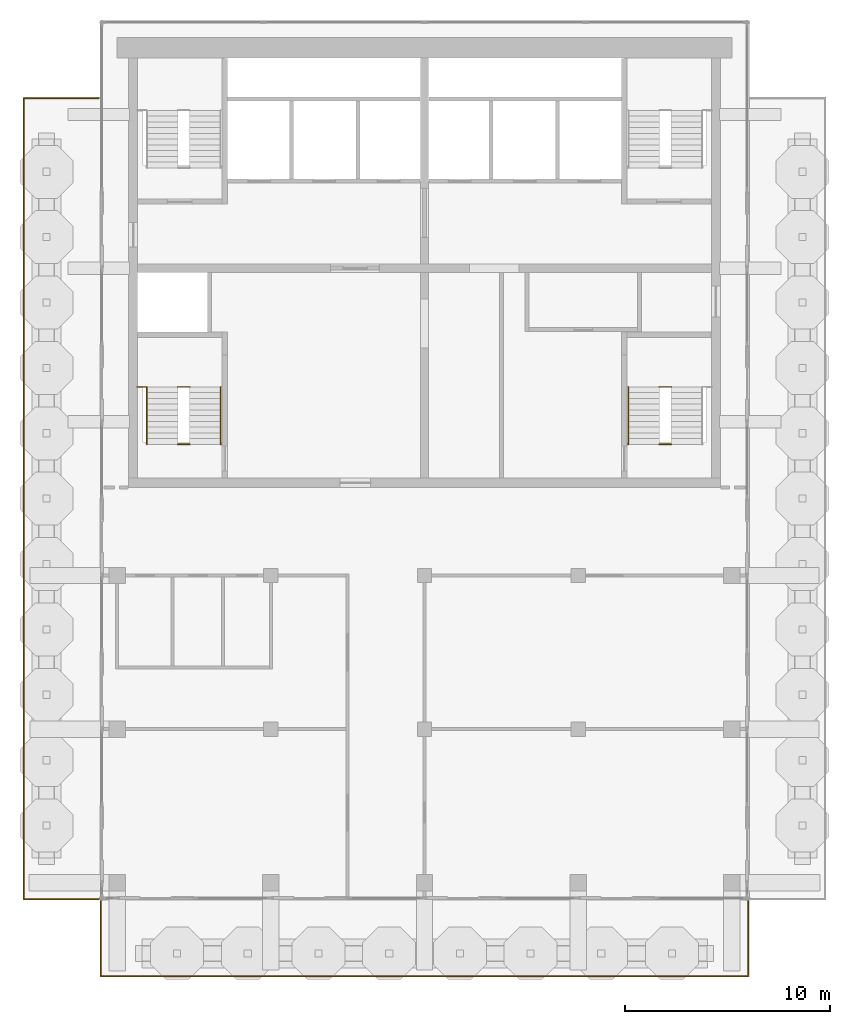
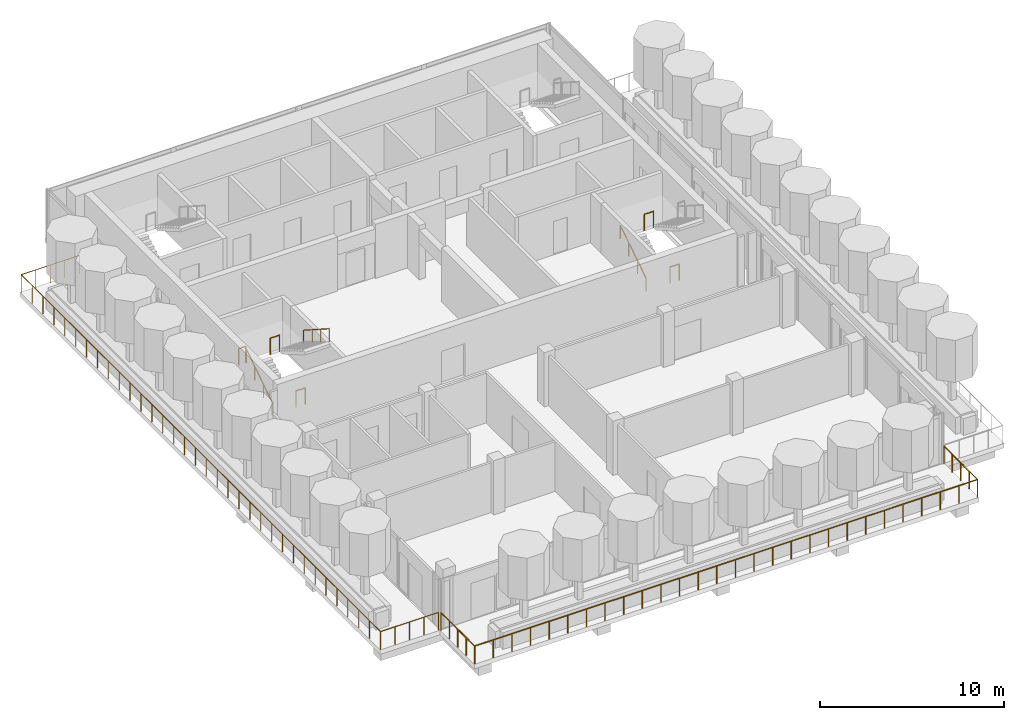
# One storey, part 8 of 10: 10 railings.
"""IFC4 building model written with IfcOpenShell, lengths in metres."""

import ifcopenshell
import ifcopenshell.guid

model = None  # the IFC model being written
_history = None  # IfcOwnerHistory: only IFC2X3 demands one
_inside = {}  # id of a spatial element -> (the spatial element, [elements in it])
_under = {}  # id of a project, library or spatial element -> (it, [spatial elements below it])
_declared = {}  # id of a project -> (the project, [libraries it declares])
_typed = {}  # id of a type object -> (the type object, [elements of that type])
_made_of = {}  # id of a material, layer set ... -> (it, [elements and type objects made of it])


def new_model(schema):
    """Start an empty IFC model of exactly this schema.

    Asked for "IFC4X3", IfcOpenShell would pick the latest addendum, in which some entities
    have other attributes; the version numbers below select the first issue.
    IFC2X3 requires an IfcOwnerHistory on every rooted entity: one is made here for all.
    """
    global model, _history
    if schema == "IFC4X3":
        model = ifcopenshell.file(schema_version=(4, 3, 0, 0))
    else:
        model = ifcopenshell.file(schema=schema)
    _inside.clear()
    _under.clear()
    _declared.clear()
    _typed.clear()
    _made_of.clear()
    _history = None
    if model.schema == "IFC2X3":
        org = make("IfcOrganization", Name="unknown")
        user = make(
            "IfcPersonAndOrganization",
            ThePerson=make("IfcPerson", FamilyName="unknown"),
            TheOrganization=org,
        )
        app = make(
            "IfcApplication",
            ApplicationDeveloper=org,
            Version="unknown",
            ApplicationFullName="unknown",
            ApplicationIdentifier="unknown",
        )
        _history = make(
            "IfcOwnerHistory",
            OwningUser=user,
            OwningApplication=app,
            ChangeAction="ADDED",
            CreationDate=0,
        )
    return model


def make(cls, **values):
    """One entity of the class cls with the attributes given. An attribute that is None is left unset."""
    return model.create_entity(
        cls, **{name: value for name, value in values.items() if value is not None}
    )


def rooted(cls, **values):
    """An entity with a GlobalId (a new one), such as an element, a storey or a relation."""
    return make(cls, GlobalId=ifcopenshell.guid.new(), OwnerHistory=_history, **values)


def si_unit(unit_type, name, prefix=None):
    """IfcSIUnit, for example si_unit("LENGTHUNIT", "METRE", prefix="MILLI")."""
    return make("IfcSIUnit", UnitType=unit_type, Prefix=prefix, Name=name)


def assignment(units):
    """IfcUnitAssignment: the units of a project."""
    return None if units is None else make("IfcUnitAssignment", Units=units)


def point(xyz):
    """IfcCartesianPoint."""
    return None if xyz is None else make("IfcCartesianPoint", Coordinates=xyz)


def direction(xyz):
    """IfcDirection."""
    return None if xyz is None else make("IfcDirection", DirectionRatios=xyz)


def frame(location, z_axis=None, x_axis=None):
    """IfcAxis2Placement3D, a coordinate frame: its origin and axes. An axis left out is left unset."""
    return make(
        "IfcAxis2Placement3D",
        Location=point(location),
        Axis=direction(z_axis),
        RefDirection=direction(x_axis),
    )


def frame_2d(location, x_axis=None):
    """IfcAxis2Placement2D, a coordinate frame in the plane: its origin and x axis."""
    return make(
        "IfcAxis2Placement2D", Location=point(location), RefDirection=direction(x_axis)
    )


def origin():
    """The frame at (0, 0, 0) with its axes left unset."""
    return frame((0.0, 0.0, 0.0))


def origin_2d():
    """The frame at (0, 0) in the plane with its x axis left unset."""
    return frame_2d((0.0, 0.0))


def place(relative_to, where):
    """IfcLocalPlacement: puts the frame where relative to a parent placement (None: the world)."""
    return make(
        "IfcLocalPlacement", PlacementRelTo=relative_to, RelativePlacement=where
    )


def context(
    kind, dimensions, precision=None, world=None, true_north=None, identifier=None
):
    """IfcGeometricRepresentationContext, for example the 3D "Model" context."""
    return make(
        "IfcGeometricRepresentationContext",
        ContextIdentifier=identifier,
        ContextType=kind,
        CoordinateSpaceDimension=dimensions,
        Precision=precision,
        WorldCoordinateSystem=world,
        TrueNorth=true_north,
    )


def subcontext(parent, identifier, kind, view, scale=None):
    """IfcGeometricRepresentationSubContext, for example "Body" below "Model"."""
    return make(
        "IfcGeometricRepresentationSubContext",
        ContextIdentifier=identifier,
        ContextType=kind,
        ParentContext=parent,
        TargetScale=scale,
        TargetView=view,
    )


def project(units=None, contexts=None):
    """IfcProject with its units and contexts."""
    return rooted(
        "IfcProject",
        Name="project",
        RepresentationContexts=contexts,
        UnitsInContext=assignment(units),
    )


def spatial(cls, under=None, at=None, **own):
    """A site, building, storey or space (cls), placed at a placement, below another one or the project."""
    s = rooted(cls, ObjectPlacement=at, **own)
    if under is not None:
        _under.setdefault(under.id(), (under, []))[1].append(s)
    return s


def profile(cls, at=None, kind="AREA", **sizes):
    """A parametric profile (cls). Its sizes go by their IFC names, for example OverallWidth=200.0."""
    return make(cls, ProfileType=kind, Position=at, **sizes)


def circle(**sizes):
    """IfcCircleProfileDef."""
    return profile("IfcCircleProfileDef", **sizes)


def extrude(swept, where, along, depth):
    """IfcExtrudedAreaSolid: the profile swept, set in the frame where, extruded along a direction by depth."""
    return make(
        "IfcExtrudedAreaSolid",
        SweptArea=swept,
        Position=where,
        ExtrudedDirection=direction(along),
        Depth=depth,
    )


def shape(context_of_items, identifier, shape_type, items):
    """IfcShapeRepresentation: the items that make up one representation, for example the "Body"."""
    return make(
        "IfcShapeRepresentation",
        ContextOfItems=context_of_items,
        RepresentationIdentifier=identifier,
        RepresentationType=shape_type,
        Items=items,
    )


def material(Name=None, Category=None):
    """IfcMaterial."""
    return make("IfcMaterial", Name=Name, Category=Category)


def made_of(thing, what):
    """Note that an element or type object is made of a material, layer set ...; save() writes the relation."""
    if what is not None:
        _made_of.setdefault(what.id(), (what, []))[1].append(thing)
    return thing


def type_object(cls, material=None, **own):
    """A type object (cls), such as IfcWallType, which elements share."""
    return made_of(rooted(cls, **own), material)


def element(
    cls,
    number,
    at=None,
    inside=None,
    cuts=None,
    type_object=None,
    material=None,
    context=None,
    identifier="Body",
    shape_type=None,
    held_by="IfcProductDefinitionShape",
    body=None,
    shapes=None,
    **own,
):
    """One element of the class cls, such as IfcWall. Its Tag is "e" and its number.

    at: its placement. inside: the storey or other place that contains it. cuts: it is an
    opening in that element (IfcRelVoidsElement). A single representation is given by context,
    identifier, shape_type and body (its items); several are given by shapes. held_by: the class
    of the entity that holds the representations. save() writes the other relations.
    """
    e = rooted(cls, Tag="e%d" % number, ObjectPlacement=at, **own)
    if body is not None:
        shapes = [shape(context, identifier, shape_type, body)]
    if shapes is not None:
        e.Representation = make(held_by, Representations=shapes)
    if inside is not None:
        _inside.setdefault(inside.id(), (inside, []))[1].append(e)
    if cuts is not None:
        rooted(
            "IfcRelVoidsElement", RelatingBuildingElement=cuts, RelatedOpeningElement=e
        )
    if type_object is not None:
        _typed.setdefault(type_object.id(), (type_object, []))[1].append(e)
    return made_of(e, material)


def aggregate(whole, parts):
    """IfcRelAggregates: a whole, such as a stair, and the parts it consists of."""
    return rooted("IfcRelAggregates", RelatingObject=whole, RelatedObjects=parts)


def save(model, path):
    """Write the relations noted so far, then the file.

    IfcRelAggregates (storeys below a building ...), IfcRelContainedInSpatialStructure (elements
    in a storey), IfcRelDefinesByType, IfcRelAssociatesMaterial and IfcRelDeclares: one each for
    every whole, place, type object, material and project.
    """
    for whole, parts in _under.values():
        aggregate(whole, parts)
    for where, things in _inside.values():
        rooted(
            "IfcRelContainedInSpatialStructure",
            RelatedElements=things,
            RelatingStructure=where,
        )
    for kind, things in _typed.values():
        rooted("IfcRelDefinesByType", RelatedObjects=things, RelatingType=kind)
    for what, things in _made_of.values():
        rooted("IfcRelAssociatesMaterial", RelatedObjects=things, RelatingMaterial=what)
    for by, libraries in _declared.values():
        rooted("IfcRelDeclares", RelatingContext=by, RelatedDefinitions=libraries)
    model.write(path)


model = new_model("IFC4")

# Units and contexts
model_context = context("Model", 3, precision=1e-05, world=origin(), true_north=direction((0.0, 1.0)))
body_context = subcontext(model_context, "Body", "Model", "MODEL_VIEW")
ifc_project = project(units=[si_unit("LENGTHUNIT", "METRE"), si_unit("AREAUNIT", "SQUARE_METRE"), si_unit("VOLUMEUNIT", "CUBIC_METRE"), si_unit("PLANEANGLEUNIT", "RADIAN"), si_unit("MASSUNIT", "GRAM", prefix="KILO")], contexts=[model_context])

# Site, building, storey
site_placement = place(None, origin())
site = spatial("IfcSite", under=ifc_project, at=site_placement, CompositionType="ELEMENT")
building_placement = place(site_placement, origin())
building = spatial("IfcBuilding", under=site, at=building_placement, Name="Pilkhan Gate Tower", CompositionType="ELEMENT")
storey_placement = place(building_placement, frame((0.0, 0.0, 272.89990234375)))
storey = spatial("IfcBuildingStorey", under=building, at=storey_placement, Name="L71", CompositionType="ELEMENT", Elevation=272.89990234375)

# Railings
ifc_material_1 = material(Name="Black powder-coated steel tube", Category="steel")
railing_type_1 = type_object("IfcRailingType", Name="Stair handrail HR1", PredefinedType="HANDRAIL", material=ifc_material_1)
for number, where, name in (
    (1, (84.949951171875, 73.89990234375, 0.0), "Stair ST1 handrail L71"),
    (2, (61.449951171875, 73.89990234375, 0.0), "Stair ST2 handrail L71"),
):
    element("IfcRailing", number, at=place(storey_placement, frame(where)), inside=storey, type_object=railing_type_1, Name=name, PredefinedType="HANDRAIL", context=body_context, shape_type="SweptSolid", body=[
        extrude(circle(Radius=0.02392578125, at=origin_2d()), frame((0.0, 0.0, 0.8759765625), z_axis=(0.0, 0.841176092368, 0.540761298198), x_axis=(-1.0, 0.0, 0.0)), (0.0, 0.0, 1.0), 3.32861328125),
        extrude(circle(Radius=0.02099609375, at=origin_2d()), origin(), (0.0, 0.0, 1.0), 0.851806640625),
        extrude(circle(Radius=0.02099609375, at=origin_2d()), frame((0.0, 0.933349609375, 0.60009765625)), (0.0, 0.0, 1.0), 0.851806640625),
        extrude(circle(Radius=0.02099609375, at=origin_2d()), frame((0.0, 1.86669921875, 1.199951171875)), (0.0, 0.0, 1.0), 0.851806640625),
        extrude(circle(Radius=0.02099609375, at=origin_2d()), frame((0.0, 2.800048828125, 1.800048828125)), (0.0, 0.0, 1.0), 0.851806640625),
    ])
railing_1_placement = place(storey_placement, frame((65.050048828125, 76.699951171875, 1.800048828125)))
element("IfcRailing", 3, at=railing_1_placement, inside=storey, type_object=railing_type_1, Name="Stair ST2 handrail L71", PredefinedType="HANDRAIL", context=body_context, shape_type="SweptSolid", body=[
    extrude(circle(Radius=0.02392578125, at=origin_2d()), frame((0.0, 0.0, 0.8759765625), z_axis=(0.0, -0.841176092368, 0.540761298198), x_axis=(1.0, 0.0, 0.0)), (0.0, 0.0, 1.0), 3.32861328125),
    extrude(circle(Radius=0.02099609375, at=origin_2d()), origin(), (0.0, 0.0, 1.0), 0.851806640625),
    extrude(circle(Radius=0.02099609375, at=origin_2d()), frame((0.0, -0.933349609375, 0.60009765625)), (0.0, 0.0, 1.0), 0.851806640625),
    extrude(circle(Radius=0.02099609375, at=origin_2d()), frame((0.0, -1.86669921875, 1.199951171875)), (0.0, 0.0, 1.0), 0.851806640625),
    extrude(circle(Radius=0.02099609375, at=origin_2d()), frame((0.0, -2.800048828125, 1.800048828125)), (0.0, 0.0, 1.0), 0.851806640625),
])
ifc_material_2 = material(Name="Black powder-coated steel balusters", Category="steel")
railing_type_2 = type_object("IfcRailingType", Name="Stair well guard G3", PredefinedType="GUARDRAIL", material=ifc_material_2)
for number, where, name in (
    (4, (86.4599609375, 73.89990234375, 0.0), "Stair ST1 well guard L71"),
    (5, (86.4599609375, 76.699951171875, 1.800048828125), "Stair ST1 well guard L71"),
):
    element("IfcRailing", number, at=place(storey_placement, frame(where)), inside=storey, type_object=railing_type_2, Name=name, PredefinedType="GUARDRAIL", context=body_context, shape_type="SweptSolid", body=[
        extrude(circle(Radius=0.02392578125, at=origin_2d()), frame((0.0, 0.0, 1.076171875), z_axis=(1.0, 0.0, 0.0), x_axis=(0.0, 1.0, 0.0)), (0.0, 0.0, 1.0), 0.580078125),
        extrude(circle(Radius=0.02099609375, at=origin_2d()), origin(), (0.0, 0.0, 1.0), 1.052001953125),
        extrude(circle(Radius=0.02099609375, at=origin_2d()), frame((0.580078125, 0.0, 0.0)), (0.0, 0.0, 1.0), 1.052001953125),
    ])
railing_2_placement = place(storey_placement, frame((60.97998046875, 76.699951171875, 1.800048828125)))
element("IfcRailing", 6, at=railing_2_placement, inside=storey, type_object=railing_type_2, Name="Stair ST2 well guard L71", PredefinedType="GUARDRAIL", context=body_context, shape_type="SweptSolid", body=[
    extrude(circle(Radius=0.02392578125, at=origin_2d()), frame((0.0, 0.0, 1.076171875), z_axis=(1.0, 0.0, 0.0), x_axis=(0.0, 1.0, 0.0)), (0.0, 0.0, 1.0), 0.43994140625),
    extrude(circle(Radius=0.02099609375, at=origin_2d()), origin(), (0.0, 0.0, 1.0), 1.052001953125),
    extrude(circle(Radius=0.02099609375, at=origin_2d()), frame((0.43994140625, 0.0, 0.0)), (0.0, 0.0, 1.0), 1.052001953125),
])
for number, where, name in (
    (7, (62.9599609375, 73.89990234375, 0.0), "Stair ST2 well guard L71"),
    (8, (62.9599609375, 76.699951171875, 1.800048828125), "Stair ST2 well guard L71"),
):
    element("IfcRailing", number, at=place(storey_placement, frame(where)), inside=storey, type_object=railing_type_2, Name=name, PredefinedType="GUARDRAIL", context=body_context, shape_type="SweptSolid", body=[
        extrude(circle(Radius=0.02392578125, at=origin_2d()), frame((0.0, 0.0, 1.076171875), z_axis=(1.0, 0.0, 0.0), x_axis=(0.0, 1.0, 0.0)), (0.0, 0.0, 1.0), 0.580078125),
        extrude(circle(Radius=0.02099609375, at=origin_2d()), origin(), (0.0, 0.0, 1.0), 1.052001953125),
        extrude(circle(Radius=0.02099609375, at=origin_2d()), frame((0.580078125, 0.0, 0.0)), (0.0, 0.0, 1.0), 1.052001953125),
    ])
ifc_material_3 = material(Name="Pale anodised aluminium posts, laminated glass infill", Category="aluminium")
railing_type_3 = type_object("IfcRailingType", Name="Terrace guard G2", PredefinedType="BALUSTRADE", material=ifc_material_3)
railing_3_placement = place(storey_placement, frame((90.800048828125, 51.60009765625, 0.0)))
element("IfcRailing", 9, at=railing_3_placement, inside=storey, type_object=railing_type_3, Name="Terrace guard L71", PredefinedType="BALUSTRADE", context=body_context, shape_type="SweptSolid", body=[
    extrude(circle(Radius=0.02392578125, at=origin_2d()), frame((0.0, 0.0, 1.17578125), z_axis=(0.0, -1.0, 0.0), x_axis=(1.0, 0.0, 0.0)), (0.0, 0.0, 1.0), 3.650146484375),
    extrude(circle(Radius=0.02392578125, at=origin_2d()), frame((0.0, -3.650146484375, 1.17578125), z_axis=(-1.0, 0.0, 0.0), x_axis=(0.0, -1.0, 0.0)), (0.0, 0.0, 1.0), 31.60009765625),
    extrude(circle(Radius=0.02392578125, at=origin_2d()), frame((-31.60009765625, -3.650146484375, 1.17578125), z_axis=(0.0, 1.0, 0.0), x_axis=(-1.0, 0.0, 0.0)), (0.0, 0.0, 1.0), 3.650146484375),
    extrude(circle(Radius=0.02099609375, at=origin_2d()), origin(), (0.0, 0.0, 1.0), 1.15185546875),
    extrude(circle(Radius=0.02099609375, at=origin_2d()), frame((0.0, -0.91259765625, 0.0)), (0.0, 0.0, 1.0), 1.15185546875),
    extrude(circle(Radius=0.02099609375, at=origin_2d()), frame((0.0, -1.8251953125, 0.0)), (0.0, 0.0, 1.0), 1.15185546875),
    extrude(circle(Radius=0.02099609375, at=origin_2d()), frame((0.0, -2.737548828125, 0.0)), (0.0, 0.0, 1.0), 1.15185546875),
    extrude(circle(Radius=0.02099609375, at=origin_2d()), frame((0.0, -3.650146484375, 0.0)), (0.0, 0.0, 1.0), 1.15185546875),
    extrude(circle(Radius=0.02099609375, at=origin_2d()), frame((-1.17041015625, -3.650146484375, 0.0)), (0.0, 0.0, 1.0), 1.15185546875),
    extrude(circle(Radius=0.02099609375, at=origin_2d()), frame((-2.3408203125, -3.650146484375, 0.0)), (0.0, 0.0, 1.0), 1.15185546875),
    extrude(circle(Radius=0.02099609375, at=origin_2d()), frame((-3.51123046875, -3.650146484375, 0.0)), (0.0, 0.0, 1.0), 1.15185546875),
    extrude(circle(Radius=0.02099609375, at=origin_2d()), frame((-4.681396484375, -3.650146484375, 0.0)), (0.0, 0.0, 1.0), 1.15185546875),
    extrude(circle(Radius=0.02099609375, at=origin_2d()), frame((-5.851806640625, -3.650146484375, 0.0)), (0.0, 0.0, 1.0), 1.15185546875),
    extrude(circle(Radius=0.02099609375, at=origin_2d()), frame((-7.022216796875, -3.650146484375, 0.0)), (0.0, 0.0, 1.0), 1.15185546875),
    extrude(circle(Radius=0.02099609375, at=origin_2d()), frame((-8.192626953125, -3.650146484375, 0.0)), (0.0, 0.0, 1.0), 1.15185546875),
    extrude(circle(Radius=0.02099609375, at=origin_2d()), frame((-9.363037109375, -3.650146484375, 0.0)), (0.0, 0.0, 1.0), 1.15185546875),
    extrude(circle(Radius=0.02099609375, at=origin_2d()), frame((-10.533447265625, -3.650146484375, 0.0)), (0.0, 0.0, 1.0), 1.15185546875),
    extrude(circle(Radius=0.02099609375, at=origin_2d()), frame((-11.703857421875, -3.650146484375, 0.0)), (0.0, 0.0, 1.0), 1.15185546875),
    extrude(circle(Radius=0.02099609375, at=origin_2d()), frame((-12.8740234375, -3.650146484375, 0.0)), (0.0, 0.0, 1.0), 1.15185546875),
    extrude(circle(Radius=0.02099609375, at=origin_2d()), frame((-14.04443359375, -3.650146484375, 0.0)), (0.0, 0.0, 1.0), 1.15185546875),
    extrude(circle(Radius=0.02099609375, at=origin_2d()), frame((-15.21484375, -3.650146484375, 0.0)), (0.0, 0.0, 1.0), 1.15185546875),
    extrude(circle(Radius=0.02099609375, at=origin_2d()), frame((-16.38525390625, -3.650146484375, 0.0)), (0.0, 0.0, 1.0), 1.15185546875),
    extrude(circle(Radius=0.02099609375, at=origin_2d()), frame((-17.5556640625, -3.650146484375, 0.0)), (0.0, 0.0, 1.0), 1.15185546875),
    extrude(circle(Radius=0.02099609375, at=origin_2d()), frame((-18.72607421875, -3.650146484375, 0.0)), (0.0, 0.0, 1.0), 1.15185546875),
    extrude(circle(Radius=0.02099609375, at=origin_2d()), frame((-19.896240234375, -3.650146484375, 0.0)), (0.0, 0.0, 1.0), 1.15185546875),
    extrude(circle(Radius=0.02099609375, at=origin_2d()), frame((-21.066650390625, -3.650146484375, 0.0)), (0.0, 0.0, 1.0), 1.15185546875),
    extrude(circle(Radius=0.02099609375, at=origin_2d()), frame((-22.237060546875, -3.650146484375, 0.0)), (0.0, 0.0, 1.0), 1.15185546875),
    extrude(circle(Radius=0.02099609375, at=origin_2d()), frame((-23.407470703125, -3.650146484375, 0.0)), (0.0, 0.0, 1.0), 1.15185546875),
    extrude(circle(Radius=0.02099609375, at=origin_2d()), frame((-24.577880859375, -3.650146484375, 0.0)), (0.0, 0.0, 1.0), 1.15185546875),
    extrude(circle(Radius=0.02099609375, at=origin_2d()), frame((-25.748291015625, -3.650146484375, 0.0)), (0.0, 0.0, 1.0), 1.15185546875),
    extrude(circle(Radius=0.02099609375, at=origin_2d()), frame((-26.918701171875, -3.650146484375, 0.0)), (0.0, 0.0, 1.0), 1.15185546875),
    extrude(circle(Radius=0.02099609375, at=origin_2d()), frame((-28.0888671875, -3.650146484375, 0.0)), (0.0, 0.0, 1.0), 1.15185546875),
    extrude(circle(Radius=0.02099609375, at=origin_2d()), frame((-29.25927734375, -3.650146484375, 0.0)), (0.0, 0.0, 1.0), 1.15185546875),
    extrude(circle(Radius=0.02099609375, at=origin_2d()), frame((-30.4296875, -3.650146484375, 0.0)), (0.0, 0.0, 1.0), 1.15185546875),
    extrude(circle(Radius=0.02099609375, at=origin_2d()), frame((-31.60009765625, -3.650146484375, 0.0)), (0.0, 0.0, 1.0), 1.15185546875),
    extrude(circle(Radius=0.02099609375, at=origin_2d()), frame((-31.60009765625, -2.737548828125, 0.0)), (0.0, 0.0, 1.0), 1.15185546875),
    extrude(circle(Radius=0.02099609375, at=origin_2d()), frame((-31.60009765625, -1.8251953125, 0.0)), (0.0, 0.0, 1.0), 1.15185546875),
    extrude(circle(Radius=0.02099609375, at=origin_2d()), frame((-31.60009765625, -0.91259765625, 0.0)), (0.0, 0.0, 1.0), 1.15185546875),
    extrude(circle(Radius=0.02099609375, at=origin_2d()), frame((-31.60009765625, 0.0, 0.0)), (0.0, 0.0, 1.0), 1.15185546875),
])
railing_4_placement = place(storey_placement, frame((59.10009765625, 51.699951171875, 0.0)))
element("IfcRailing", 10, at=railing_4_placement, inside=storey, type_object=railing_type_3, Name="Terrace guard L71", PredefinedType="BALUSTRADE", context=body_context, shape_type="SweptSolid", body=[
    extrude(circle(Radius=0.02392578125, at=origin_2d()), frame((0.0, 0.0, 1.17578125), z_axis=(-1.0, 0.0, 0.0), x_axis=(0.0, -1.0, 0.0)), (0.0, 0.0, 1.0), 3.650146484375),
    extrude(circle(Radius=0.02392578125, at=origin_2d()), frame((-3.650146484375, 0.0, 1.17578125), z_axis=(0.0, 1.0, 0.0), x_axis=(-1.0, 0.0, 0.0)), (0.0, 0.0, 1.0), 39.10009765625),
    extrude(circle(Radius=0.02392578125, at=origin_2d()), frame((-3.650146484375, 39.10009765625, 1.17578125), z_axis=(1.0, 0.0, 0.0), x_axis=(0.0, 1.0, 0.0)), (0.0, 0.0, 1.0), 3.650146484375),
    extrude(circle(Radius=0.02099609375, at=origin_2d()), origin(), (0.0, 0.0, 1.0), 1.15185546875),
    extrude(circle(Radius=0.02099609375, at=origin_2d()), frame((-0.91259765625, 0.0, 0.0)), (0.0, 0.0, 1.0), 1.15185546875),
    extrude(circle(Radius=0.02099609375, at=origin_2d()), frame((-1.8251953125, 0.0, 0.0)), (0.0, 0.0, 1.0), 1.15185546875),
    extrude(circle(Radius=0.02099609375, at=origin_2d()), frame((-2.737548828125, 0.0, 0.0)), (0.0, 0.0, 1.0), 1.15185546875),
    extrude(circle(Radius=0.02099609375, at=origin_2d()), frame((-3.650146484375, 0.0, 0.0)), (0.0, 0.0, 1.0), 1.15185546875),
    extrude(circle(Radius=0.02099609375, at=origin_2d()), frame((-3.650146484375, 1.184814453125, 0.0)), (0.0, 0.0, 1.0), 1.15185546875),
    extrude(circle(Radius=0.02099609375, at=origin_2d()), frame((-3.650146484375, 2.36962890625, 0.0)), (0.0, 0.0, 1.0), 1.15185546875),
    extrude(circle(Radius=0.02099609375, at=origin_2d()), frame((-3.650146484375, 3.554443359375, 0.0)), (0.0, 0.0, 1.0), 1.15185546875),
    extrude(circle(Radius=0.02099609375, at=origin_2d()), frame((-3.650146484375, 4.739501953125, 0.0)), (0.0, 0.0, 1.0), 1.15185546875),
    extrude(circle(Radius=0.02099609375, at=origin_2d()), frame((-3.650146484375, 5.92431640625, 0.0)), (0.0, 0.0, 1.0), 1.15185546875),
    extrude(circle(Radius=0.02099609375, at=origin_2d()), frame((-3.650146484375, 7.109130859375, 0.0)), (0.0, 0.0, 1.0), 1.15185546875),
    extrude(circle(Radius=0.02099609375, at=origin_2d()), frame((-3.650146484375, 8.2939453125, 0.0)), (0.0, 0.0, 1.0), 1.15185546875),
    extrude(circle(Radius=0.02099609375, at=origin_2d()), frame((-3.650146484375, 9.478759765625, 0.0)), (0.0, 0.0, 1.0), 1.15185546875),
    extrude(circle(Radius=0.02099609375, at=origin_2d()), frame((-3.650146484375, 10.66357421875, 0.0)), (0.0, 0.0, 1.0), 1.15185546875),
    extrude(circle(Radius=0.02099609375, at=origin_2d()), frame((-3.650146484375, 11.8486328125, 0.0)), (0.0, 0.0, 1.0), 1.15185546875),
    extrude(circle(Radius=0.02099609375, at=origin_2d()), frame((-3.650146484375, 13.033447265625, 0.0)), (0.0, 0.0, 1.0), 1.15185546875),
    extrude(circle(Radius=0.02099609375, at=origin_2d()), frame((-3.650146484375, 14.21826171875, 0.0)), (0.0, 0.0, 1.0), 1.15185546875),
    extrude(circle(Radius=0.02099609375, at=origin_2d()), frame((-3.650146484375, 15.403076171875, 0.0)), (0.0, 0.0, 1.0), 1.15185546875),
    extrude(circle(Radius=0.02099609375, at=origin_2d()), frame((-3.650146484375, 16.587890625, 0.0)), (0.0, 0.0, 1.0), 1.15185546875),
    extrude(circle(Radius=0.02099609375, at=origin_2d()), frame((-3.650146484375, 17.772705078125, 0.0)), (0.0, 0.0, 1.0), 1.15185546875),
    extrude(circle(Radius=0.02099609375, at=origin_2d()), frame((-3.650146484375, 18.95751953125, 0.0)), (0.0, 0.0, 1.0), 1.15185546875),
    extrude(circle(Radius=0.02099609375, at=origin_2d()), frame((-3.650146484375, 20.142578125, 0.0)), (0.0, 0.0, 1.0), 1.15185546875),
    extrude(circle(Radius=0.02099609375, at=origin_2d()), frame((-3.650146484375, 21.327392578125, 0.0)), (0.0, 0.0, 1.0), 1.15185546875),
    extrude(circle(Radius=0.02099609375, at=origin_2d()), frame((-3.650146484375, 22.51220703125, 0.0)), (0.0, 0.0, 1.0), 1.15185546875),
    extrude(circle(Radius=0.02099609375, at=origin_2d()), frame((-3.650146484375, 23.697021484375, 0.0)), (0.0, 0.0, 1.0), 1.15185546875),
    extrude(circle(Radius=0.02099609375, at=origin_2d()), frame((-3.650146484375, 24.8818359375, 0.0)), (0.0, 0.0, 1.0), 1.15185546875),
    extrude(circle(Radius=0.02099609375, at=origin_2d()), frame((-3.650146484375, 26.066650390625, 0.0)), (0.0, 0.0, 1.0), 1.15185546875),
    extrude(circle(Radius=0.02099609375, at=origin_2d()), frame((-3.650146484375, 27.25146484375, 0.0)), (0.0, 0.0, 1.0), 1.15185546875),
    extrude(circle(Radius=0.02099609375, at=origin_2d()), frame((-3.650146484375, 28.4365234375, 0.0)), (0.0, 0.0, 1.0), 1.15185546875),
    extrude(circle(Radius=0.02099609375, at=origin_2d()), frame((-3.650146484375, 29.621337890625, 0.0)), (0.0, 0.0, 1.0), 1.15185546875),
    extrude(circle(Radius=0.02099609375, at=origin_2d()), frame((-3.650146484375, 30.80615234375, 0.0)), (0.0, 0.0, 1.0), 1.15185546875),
    extrude(circle(Radius=0.02099609375, at=origin_2d()), frame((-3.650146484375, 31.990966796875, 0.0)), (0.0, 0.0, 1.0), 1.15185546875),
    extrude(circle(Radius=0.02099609375, at=origin_2d()), frame((-3.650146484375, 33.17578125, 0.0)), (0.0, 0.0, 1.0), 1.15185546875),
    extrude(circle(Radius=0.02099609375, at=origin_2d()), frame((-3.650146484375, 34.360595703125, 0.0)), (0.0, 0.0, 1.0), 1.15185546875),
    extrude(circle(Radius=0.02099609375, at=origin_2d()), frame((-3.650146484375, 35.545654296875, 0.0)), (0.0, 0.0, 1.0), 1.15185546875),
    extrude(circle(Radius=0.02099609375, at=origin_2d()), frame((-3.650146484375, 36.73046875, 0.0)), (0.0, 0.0, 1.0), 1.15185546875),
    extrude(circle(Radius=0.02099609375, at=origin_2d()), frame((-3.650146484375, 37.915283203125, 0.0)), (0.0, 0.0, 1.0), 1.15185546875),
    extrude(circle(Radius=0.02099609375, at=origin_2d()), frame((-3.650146484375, 39.10009765625, 0.0)), (0.0, 0.0, 1.0), 1.15185546875),
    extrude(circle(Radius=0.02099609375, at=origin_2d()), frame((-2.737548828125, 39.10009765625, 0.0)), (0.0, 0.0, 1.0), 1.15185546875),
    extrude(circle(Radius=0.02099609375, at=origin_2d()), frame((-1.8251953125, 39.10009765625, 0.0)), (0.0, 0.0, 1.0), 1.15185546875),
    extrude(circle(Radius=0.02099609375, at=origin_2d()), frame((-0.91259765625, 39.10009765625, 0.0)), (0.0, 0.0, 1.0), 1.15185546875),
    extrude(circle(Radius=0.02099609375, at=origin_2d()), frame((0.0, 39.10009765625, 0.0)), (0.0, 0.0, 1.0), 1.15185546875),
])

save(model, "model.ifc")
